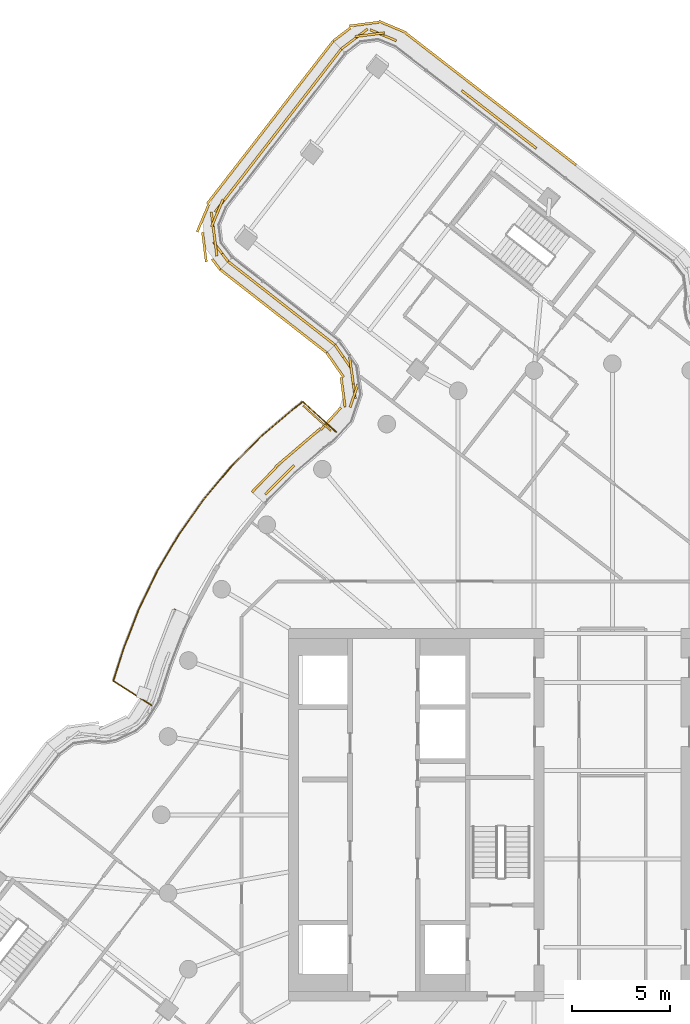
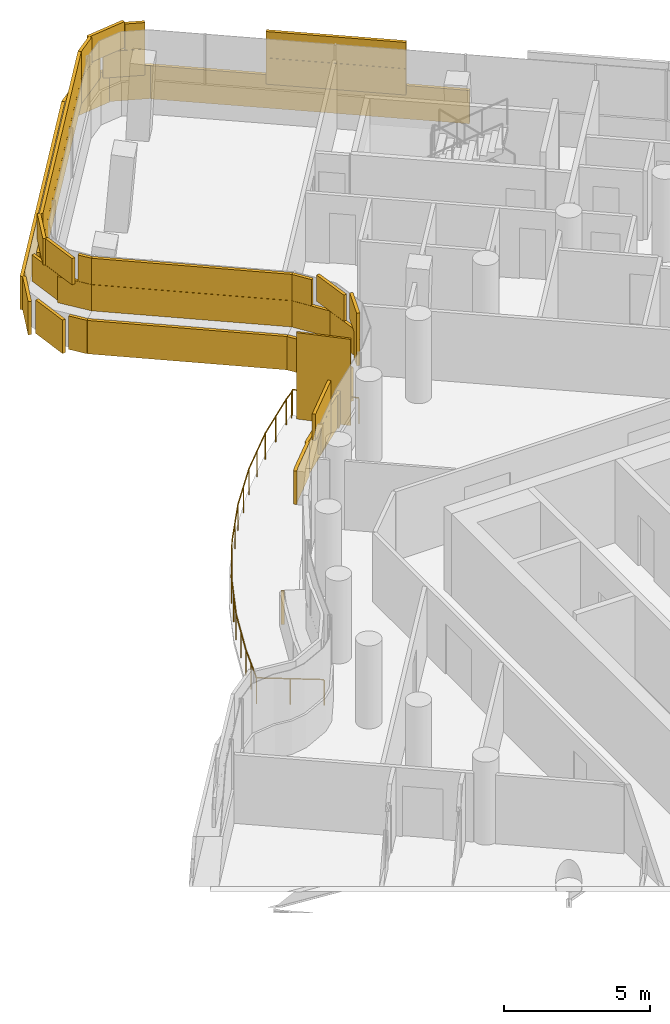
# One storey, part 24 of 26: 4 coverings, 1 railing, 1 shading device.
"""IFC4 building model written with IfcOpenShell, lengths in metres."""

from ifc_helpers import new_model, si_unit, direction, frame, origin, origin_2d, place, context, subcontext, project, spatial, rectangle, circle, extrude, material, layer, layer_set, type_object, element, save


model = new_model("IFC4")

# Units and contexts
model_context = context("Model", 3, precision=1e-05, world=origin(), true_north=direction((0.0, 1.0)))
body_context = subcontext(model_context, "Body", "Model", "MODEL_VIEW")
ifc_project = project(units=[si_unit("LENGTHUNIT", "METRE"), si_unit("AREAUNIT", "SQUARE_METRE"), si_unit("VOLUMEUNIT", "CUBIC_METRE"), si_unit("PLANEANGLEUNIT", "RADIAN"), si_unit("MASSUNIT", "GRAM", prefix="KILO")], contexts=[model_context])

# Site, building, storey
site_placement = place(None, origin())
site = spatial("IfcSite", under=ifc_project, at=site_placement, CompositionType="ELEMENT")
building_placement = place(site_placement, origin())
building = spatial("IfcBuilding", under=site, at=building_placement, Name="Tamarind Cross Interchange Tower", CompositionType="ELEMENT")
storey_placement = place(building_placement, frame((0.0, 0.0, 223.5)))
storey = spatial("IfcBuildingStorey", under=building, at=storey_placement, Name="L56", CompositionType="ELEMENT", Elevation=223.5)

# Railing
ifc_material_1 = material(Name="Stainless steel and laminated glass", Category="steel")
railing_type = type_object("IfcRailingType", Name="Balcony guard", PredefinedType="BALUSTRADE", material=ifc_material_1)
railing_placement = place(storey_placement, frame((-14.079345703125, 19.51171875, 0.0)))
element("IfcRailing", 1, at=railing_placement, inside=storey, type_object=railing_type, Name="Balcony guard 06", PredefinedType="BALUSTRADE", context=body_context, shape_type="SweptSolid", body=[
    extrude(circle(Radius=0.02490234375, at=origin_2d()), frame((0.0, 0.0, 1.0751953125), z_axis=(-0.738977417959, 0.673730195069, 0.0), x_axis=(-0.673730195069, -0.738977417959, 0.0)), (0.0, 0.0, 1.0), 2.31982421875),
    extrude(circle(Radius=0.02490234375, at=origin_2d()), frame((-1.71435546875, 1.56298828125, 1.0751953125), z_axis=(-0.674600241332, -0.738183252584, 0.0), x_axis=(0.738183252584, -0.674600241332, 0.0)), (0.0, 0.0, 1.0), 0.157470703125),
    extrude(circle(Radius=0.02490234375, at=origin_2d()), frame((-1.820556640625, 1.44677734375, 1.0751953125), z_axis=(-0.805232741795, -0.592958878457, 0.0), x_axis=(0.592958878457, -0.805232741795, 0.0)), (0.0, 0.0, 1.0), 0.450927734375),
    extrude(circle(Radius=0.02490234375, at=origin_2d()), frame((-2.18359375, 1.179443359375, 1.0751953125), z_axis=(-0.760291234093, -0.649582357643, 0.0), x_axis=(0.649582357643, -0.760291234093, 0.0)), (0.0, 0.0, 1.0), 2.163330078125),
    extrude(circle(Radius=0.02490234375, at=origin_2d()), frame((-3.828369140625, -0.225830078125, 1.0751953125), z_axis=(-0.704069857635, -0.710130717242, 0.0), x_axis=(0.710130717242, -0.704069857635, 0.0)), (0.0, 0.0, 1.0), 2.17529296875),
    extrude(circle(Radius=0.02490234375, at=origin_2d()), frame((-5.35986328125, -1.7705078125, 1.0751953125), z_axis=(-0.642984125922, -0.765879503455, 0.0), x_axis=(0.765879503455, -0.642984125922, 0.0)), (0.0, 0.0, 1.0), 2.17529296875),
    extrude(circle(Radius=0.02490234375, at=origin_2d()), frame((-6.758544921875, -3.4365234375, 1.0751953125), z_axis=(-0.577590617379, -0.81632657602, 0.0), x_axis=(0.81632657602, -0.577590617379, 0.0)), (0.0, 0.0, 1.0), 2.175048828125),
    extrude(circle(Radius=0.02490234375, at=origin_2d()), frame((-8.014892578125, -5.212158203125, 1.0751953125), z_axis=(-0.508226290333, -0.861223570169, 0.0), x_axis=(0.861223570169, -0.508226290333, 0.0)), (0.0, 0.0, 1.0), 2.175048828125),
    extrude(circle(Radius=0.02490234375, at=origin_2d()), frame((-9.120361328125, -7.08544921875, 1.0751953125), z_axis=(-0.435276325285, -0.90029690694, 0.0), x_axis=(0.90029690694, -0.435276325285, 0.0)), (0.0, 0.0, 1.0), 2.175048828125),
    extrude(circle(Radius=0.02490234375, at=origin_2d()), frame((-10.067138671875, -9.043701171875, 1.0751953125), z_axis=(-0.359459104693, -0.933160839327, 0.0), x_axis=(0.933160839327, -0.359459104693, 0.0)), (0.0, 0.0, 1.0), 2.14697265625),
    extrude(circle(Radius=0.02490234375, at=origin_2d()), frame((-10.8388671875, -11.047119140625, 1.0751953125), z_axis=(-0.304634213897, -0.952469419836, 0.0), x_axis=(0.952469419836, -0.304634213897, 0.0)), (0.0, 0.0, 1.0), 1.690185546875),
    extrude(circle(Radius=0.02490234375, at=origin_2d()), frame((-11.353759765625, -12.656982421875, 1.0751953125), z_axis=(-0.534358479235, -0.845257958063, 0.0), x_axis=(0.845257958063, -0.534358479235, 0.0)), (0.0, 0.0, 1.0), 0.025146484375),
    extrude(circle(Radius=0.02490234375, at=origin_2d()), frame((-11.3671875, -12.67822265625, 1.0751953125), z_axis=(0.842345933072, -0.538937221797, 0.0), x_axis=(0.538937221797, 0.842345933072, 0.0)), (0.0, 0.0, 1.0), 2.31982421875),
    extrude(circle(Radius=0.02001953125, at=origin_2d()), origin(), (0.0, 0.0, 1.0), 1.050048828125),
    extrude(circle(Radius=0.02001953125, at=origin_2d()), frame((-0.857177734375, 0.781494140625, 0.0)), (0.0, 0.0, 1.0), 1.050048828125),
    extrude(circle(Radius=0.02001953125, at=origin_2d()), frame((-1.71435546875, 1.56298828125, 0.0)), (0.0, 0.0, 1.0), 1.050048828125),
    extrude(circle(Radius=0.02001953125, at=origin_2d()), frame((-1.820556640625, 1.44677734375, 0.0)), (0.0, 0.0, 1.0), 1.050048828125),
    extrude(circle(Radius=0.02001953125, at=origin_2d()), frame((-2.18359375, 1.179443359375, 0.0)), (0.0, 0.0, 1.0), 1.050048828125),
    extrude(circle(Radius=0.02001953125, at=origin_2d()), frame((-3.005859375, 0.476806640625, 0.0)), (0.0, 0.0, 1.0), 1.050048828125),
    extrude(circle(Radius=0.02001953125, at=origin_2d()), frame((-3.828369140625, -0.225830078125, 0.0)), (0.0, 0.0, 1.0), 1.050048828125),
    extrude(circle(Radius=0.02001953125, at=origin_2d()), frame((-4.59423828125, -0.998046875, 0.0)), (0.0, 0.0, 1.0), 1.050048828125),
    extrude(circle(Radius=0.02001953125, at=origin_2d()), frame((-5.35986328125, -1.7705078125, 0.0)), (0.0, 0.0, 1.0), 1.050048828125),
    extrude(circle(Radius=0.02001953125, at=origin_2d()), frame((-6.05908203125, -2.603515625, 0.0)), (0.0, 0.0, 1.0), 1.050048828125),
    extrude(circle(Radius=0.02001953125, at=origin_2d()), frame((-6.758544921875, -3.4365234375, 0.0)), (0.0, 0.0, 1.0), 1.050048828125),
    extrude(circle(Radius=0.02001953125, at=origin_2d()), frame((-7.38671875, -4.32421875, 0.0)), (0.0, 0.0, 1.0), 1.050048828125),
    extrude(circle(Radius=0.02001953125, at=origin_2d()), frame((-8.014892578125, -5.212158203125, 0.0)), (0.0, 0.0, 1.0), 1.050048828125),
    extrude(circle(Radius=0.02001953125, at=origin_2d()), frame((-8.567626953125, -6.14892578125, 0.0)), (0.0, 0.0, 1.0), 1.050048828125),
    extrude(circle(Radius=0.02001953125, at=origin_2d()), frame((-9.120361328125, -7.08544921875, 0.0)), (0.0, 0.0, 1.0), 1.050048828125),
    extrude(circle(Radius=0.02001953125, at=origin_2d()), frame((-9.59375, -8.064453125, 0.0)), (0.0, 0.0, 1.0), 1.050048828125),
    extrude(circle(Radius=0.02001953125, at=origin_2d()), frame((-10.067138671875, -9.043701171875, 0.0)), (0.0, 0.0, 1.0), 1.050048828125),
    extrude(circle(Radius=0.02001953125, at=origin_2d()), frame((-10.453125, -10.04541015625, 0.0)), (0.0, 0.0, 1.0), 1.050048828125),
    extrude(circle(Radius=0.02001953125, at=origin_2d()), frame((-10.8388671875, -11.047119140625, 0.0)), (0.0, 0.0, 1.0), 1.050048828125),
    extrude(circle(Radius=0.02001953125, at=origin_2d()), frame((-11.09619140625, -11.85205078125, 0.0)), (0.0, 0.0, 1.0), 1.050048828125),
    extrude(circle(Radius=0.02001953125, at=origin_2d()), frame((-11.353759765625, -12.656982421875, 0.0)), (0.0, 0.0, 1.0), 1.050048828125),
    extrude(circle(Radius=0.02001953125, at=origin_2d()), frame((-11.3671875, -12.67822265625, 0.0)), (0.0, 0.0, 1.0), 1.050048828125),
    extrude(circle(Radius=0.02001953125, at=origin_2d()), frame((-10.39013671875, -13.30322265625, 0.0)), (0.0, 0.0, 1.0), 1.050048828125),
    extrude(circle(Radius=0.02001953125, at=origin_2d()), frame((-9.4130859375, -13.928466796875, 0.0)), (0.0, 0.0, 1.0), 1.050048828125),
])

# Shading device
ifc_material_2 = material(Name="Bronze-finish aluminium louvre", Category="aluminium")
ifc_layer_1 = layer(ifc_material_2, 0.080078125)
ifc_layer_set_1 = layer_set([ifc_layer_1], Name="Bronze-finish aluminium louvre")
shading_device_type = type_object("IfcShadingDeviceType", Name="Operable louvre bay", PredefinedType="JALOUSIE", material=ifc_layer_set_1)
shading_device_placement = place(storey_placement, origin())
element("IfcShadingDevice", 2, at=shading_device_placement, inside=storey, type_object=shading_device_type, Name="LVR-L56-BAL06", PredefinedType="JALOUSIE", context=body_context, shape_type="SweptSolid", body=[
    extrude(rectangle(XDim=1.89990234375, YDim=0.080078125, at=origin_2d()), frame((-15.060302734375, 20.216796875, 0.0), z_axis=(0.0, 0.0, 1.0), x_axis=(-0.739005481739, 0.673699412171, 0.0)), (0.0, 0.0, 1.0), 3.60009765625),
])

# Coverings
ifc_material_3 = material(Name="Terracotta", Category="masonry")
ifc_layer_2 = layer(ifc_material_3, 0.1201171875)
ifc_layer_set_2 = layer_set([ifc_layer_2], Name="Terracotta")
covering_type = type_object("IfcCoveringType", Name="Terracotta baguette screen unit", PredefinedType="MOLDING", material=ifc_layer_set_2)
covering_1_placement = place(storey_placement, origin())
element("IfcCovering", 3, at=covering_1_placement, inside=storey, type_object=covering_type, Name="SCR-L56-03-01", PredefinedType="MOLDING", context=body_context, shape_type="SweptSolid", body=[
    extrude(rectangle(XDim=1.450439453125, YDim=0.1201171875, at=origin_2d()), frame((-4.44775390625, 34.4130859375, 1.40380859375), z_axis=(0.0, 0.0, 1.0), x_axis=(-0.790582709629, 0.612355272073, 0.0)), (0.0, 0.0, 1.0), 1.092041015625),
    extrude(rectangle(XDim=1.52001953125, YDim=0.1201171875, at=origin_2d()), frame((-5.610107421875, 35.3134765625, 1.40380859375), z_axis=(0.0, 0.0, 1.0), x_axis=(-0.790582709629, 0.612355272073, 0.0)), (0.0, 0.0, 1.0), 1.092041015625),
    extrude(rectangle(XDim=1.52001953125, YDim=0.1201171875, at=origin_2d()), frame((-6.796142578125, 36.23193359375, 1.40380859375), z_axis=(0.0, 0.0, 1.0), x_axis=(-0.790582709629, 0.612355272073, 0.0)), (0.0, 0.0, 1.0), 1.092041015625),
    extrude(rectangle(XDim=0.38134765625, YDim=0.1201171875, at=origin_2d()), frame((-7.535888671875, 36.804931640625, 1.40380859375), z_axis=(0.0, 0.0, 1.0), x_axis=(-0.790582709629, 0.612355272073, 0.0)), (0.0, 0.0, 1.0), 1.092041015625),
    extrude(rectangle(XDim=1.438720703125, YDim=0.1201171875, at=origin_2d()), frame((-11.678466796875, 39.73828125, 1.40380859375), z_axis=(0.0, 0.0, 1.0), x_axis=(-0.92213346383, 0.386871910179, 0.0)), (0.0, 0.0, 1.0), 1.092041015625),
    extrude(rectangle(XDim=1.52001953125, YDim=0.1201171875, at=origin_2d()), frame((-13.08544921875, 39.59912109375, 1.40380859375), z_axis=(0.0, 0.0, 1.0), x_axis=(-0.796107634141, -0.605155050266, 0.0)), (0.0, 0.0, 1.0), 1.092041015625),
    extrude(rectangle(XDim=0.18017578125, YDim=0.1201171875, at=origin_2d()), frame((-13.750244140625, 39.09375, 1.40380859375), z_axis=(0.0, 0.0, 1.0), x_axis=(-0.796107634141, -0.605155050266, 0.0)), (0.0, 0.0, 1.0), 1.092041015625),
    extrude(rectangle(XDim=0.700439453125, YDim=0.1201171875, at=origin_2d()), frame((-4.1513671875, 34.18359375, 2.50390625), z_axis=(0.0, 0.0, 1.0), x_axis=(-0.790582709629, 0.612355272073, 0.0)), (0.0, 0.0, 1.0), 1.092041015625),
    extrude(rectangle(XDim=1.52001953125, YDim=0.1201171875, at=origin_2d()), frame((-5.017333984375, 34.854248046875, 2.50390625), z_axis=(0.0, 0.0, 1.0), x_axis=(-0.790582709629, 0.612355272073, 0.0)), (0.0, 0.0, 1.0), 1.092041015625),
    extrude(rectangle(XDim=1.52001953125, YDim=0.1201171875, at=origin_2d()), frame((-6.203125, 35.772705078125, 2.50390625), z_axis=(0.0, 0.0, 1.0), x_axis=(-0.790582709629, 0.612355272073, 0.0)), (0.0, 0.0, 1.0), 1.092041015625),
    extrude(rectangle(XDim=1.13134765625, YDim=0.1201171875, at=origin_2d()), frame((-7.2392578125, 36.575439453125, 2.50390625), z_axis=(0.0, 0.0, 1.0), x_axis=(-0.790582709629, 0.612355272073, 0.0)), (0.0, 0.0, 1.0), 1.092041015625),
    extrude(rectangle(XDim=0.688720703125, YDim=0.1201171875, at=origin_2d()), frame((-11.33251953125, 39.59326171875, 2.50390625), z_axis=(0.0, 0.0, 1.0), x_axis=(-0.92213346383, 0.386871910179, 0.0)), (0.0, 0.0, 1.0), 1.092041015625),
    extrude(rectangle(XDim=1.52001953125, YDim=0.1201171875, at=origin_2d()), frame((-12.37109375, 39.76611328125, 2.50390625), z_axis=(0.0, 0.0, 1.0), x_axis=(-0.992026960446, -0.126025829689, 0.0)), (0.0, 0.0, 1.0), 1.092041015625),
    extrude(rectangle(XDim=0.93017578125, YDim=0.1201171875, at=origin_2d()), frame((-13.45166015625, 39.32080078125, 2.50390625), z_axis=(0.0, 0.0, 1.0), x_axis=(-0.796107634141, -0.605155050266, 0.0)), (0.0, 0.0, 1.0), 1.092041015625),
    extrude(rectangle(XDim=0.492431640625, YDim=0.1201171875, at=origin_2d()), frame((-2.048583984375, 33.28076171875, 0.00390625), z_axis=(0.0, 0.0, 1.0), x_axis=(-0.790582709629, 0.612355272073, 0.0)), (0.0, 0.0, 1.0), 1.39208984375),
    extrude(rectangle(XDim=1.52001953125, YDim=0.1201171875, at=origin_2d()), frame((-2.828125, 33.884765625, 0.00390625), z_axis=(0.0, 0.0, 1.0), x_axis=(-0.790582709629, 0.612355272073, 0.0)), (0.0, 0.0, 1.0), 1.39208984375),
    extrude(rectangle(XDim=1.52001953125, YDim=0.1201171875, at=origin_2d()), frame((-4.01416015625, 34.80322265625, 0.00390625), z_axis=(0.0, 0.0, 1.0), x_axis=(-0.790582709629, 0.612355272073, 0.0)), (0.0, 0.0, 1.0), 1.39208984375),
    extrude(rectangle(XDim=1.52001953125, YDim=0.1201171875, at=origin_2d()), frame((-5.199951171875, 35.721923828125, 0.00390625), z_axis=(0.0, 0.0, 1.0), x_axis=(-0.790582709629, 0.612355272073, 0.0)), (0.0, 0.0, 1.0), 1.39208984375),
    extrude(rectangle(XDim=1.52001953125, YDim=0.1201171875, at=origin_2d()), frame((-6.385986328125, 36.640380859375, 0.00390625), z_axis=(0.0, 0.0, 1.0), x_axis=(-0.790582709629, 0.612355272073, 0.0)), (0.0, 0.0, 1.0), 1.39208984375),
    extrude(rectangle(XDim=1.52001953125, YDim=0.1201171875, at=origin_2d()), frame((-7.57177734375, 37.558837890625, 0.00390625), z_axis=(0.0, 0.0, 1.0), x_axis=(-0.790582709629, 0.612355272073, 0.0)), (0.0, 0.0, 1.0), 1.39208984375),
    extrude(rectangle(XDim=1.52001953125, YDim=0.1201171875, at=origin_2d()), frame((-8.757568359375, 38.4775390625, 0.00390625), z_axis=(0.0, 0.0, 1.0), x_axis=(-0.790582709629, 0.612355272073, 0.0)), (0.0, 0.0, 1.0), 1.39208984375),
    extrude(rectangle(XDim=1.52001953125, YDim=0.1201171875, at=origin_2d()), frame((-9.943603515625, 39.39599609375, 0.00390625), z_axis=(0.0, 0.0, 1.0), x_axis=(-0.790582709629, 0.612355272073, 0.0)), (0.0, 0.0, 1.0), 1.39208984375),
    extrude(rectangle(XDim=1.52001953125, YDim=0.1201171875, at=origin_2d()), frame((-11.215576171875, 40.16650390625, 0.00390625), z_axis=(0.0, 0.0, 1.0), x_axis=(-0.92213346383, 0.386871910179, 0.0)), (0.0, 0.0, 1.0), 1.39208984375),
    extrude(rectangle(XDim=1.52001953125, YDim=0.1201171875, at=origin_2d()), frame((-12.65869140625, 40.30810546875, 0.00390625), z_axis=(0.0, 0.0, 1.0), x_axis=(-0.992026960446, -0.126025829689, 0.0)), (0.0, 0.0, 1.0), 1.39208984375),
    extrude(rectangle(XDim=1.096435546875, YDim=0.1201171875, at=origin_2d()), frame((-13.7890625, 39.785400390625, 0.00390625), z_axis=(0.0, 0.0, 1.0), x_axis=(-0.796107634141, -0.605155050266, 0.0)), (0.0, 0.0, 1.0), 1.39208984375),
])
covering_2_placement = place(storey_placement, origin())
element("IfcCovering", 4, at=covering_2_placement, inside=storey, type_object=covering_type, Name="SCR-L56-04-00", PredefinedType="MOLDING", context=body_context, shape_type="SweptSolid", body=[
    extrude(rectangle(XDim=1.510009765625, YDim=0.1201171875, at=origin_2d()), frame((-14.27734375, 38.449462890625, 1.40380859375), z_axis=(0.0, 0.0, 1.0), x_axis=(-0.612355272073, -0.790582709629, 0.0)), (0.0, 0.0, 1.0), 1.092041015625),
    extrude(rectangle(XDim=1.52001953125, YDim=0.1201171875, at=origin_2d()), frame((-15.19580078125, 37.263427734375, 1.40380859375), z_axis=(0.0, 0.0, 1.0), x_axis=(-0.612355272073, -0.790582709629, 0.0)), (0.0, 0.0, 1.0), 1.092041015625),
    extrude(rectangle(XDim=1.52001953125, YDim=0.1201171875, at=origin_2d()), frame((-16.1142578125, 36.07763671875, 1.40380859375), z_axis=(0.0, 0.0, 1.0), x_axis=(-0.612355272073, -0.790582709629, 0.0)), (0.0, 0.0, 1.0), 1.092041015625),
    extrude(rectangle(XDim=1.52001953125, YDim=0.1201171875, at=origin_2d()), frame((-17.032958984375, 34.891845703125, 1.40380859375), z_axis=(0.0, 0.0, 1.0), x_axis=(-0.612355272073, -0.790582709629, 0.0)), (0.0, 0.0, 1.0), 1.092041015625),
    extrude(rectangle(XDim=1.52001953125, YDim=0.1201171875, at=origin_2d()), frame((-17.951416015625, 33.705810546875, 1.40380859375), z_axis=(0.0, 0.0, 1.0), x_axis=(-0.612355272073, -0.790582709629, 0.0)), (0.0, 0.0, 1.0), 1.092041015625),
    extrude(rectangle(XDim=1.52001953125, YDim=0.1201171875, at=origin_2d()), frame((-18.869873046875, 32.52001953125, 1.40380859375), z_axis=(0.0, 0.0, 1.0), x_axis=(-0.612355272073, -0.790582709629, 0.0)), (0.0, 0.0, 1.0), 1.092041015625),
    extrude(rectangle(XDim=1.52001953125, YDim=0.1201171875, at=origin_2d()), frame((-19.78857421875, 31.334228515625, 1.40380859375), z_axis=(0.0, 0.0, 1.0), x_axis=(-0.612355272073, -0.790582709629, 0.0)), (0.0, 0.0, 1.0), 1.092041015625),
    extrude(rectangle(XDim=1.52001953125, YDim=0.1201171875, at=origin_2d()), frame((-20.35107421875, 29.97607421875, 1.40380859375), z_axis=(0.0, 0.0, 1.0), x_axis=(0.126025829689, -0.992026960446, 0.0)), (0.0, 0.0, 1.0), 1.092041015625),
    extrude(rectangle(XDim=1.259521484375, YDim=0.1201171875, at=origin_2d()), frame((-19.9638671875, 28.69970703125, 1.40380859375), z_axis=(0.0, 0.0, 1.0), x_axis=(0.605155050266, -0.796107634141, 0.0)), (0.0, 0.0, 1.0), 1.092041015625),
    extrude(rectangle(XDim=0.760009765625, YDim=0.1201171875, at=origin_2d()), frame((-14.047607421875, 38.745849609375, 2.50390625), z_axis=(0.0, 0.0, 1.0), x_axis=(-0.612355272073, -0.790582709629, 0.0)), (0.0, 0.0, 1.0), 1.092041015625),
    extrude(rectangle(XDim=1.52001953125, YDim=0.1201171875, at=origin_2d()), frame((-14.736572265625, 37.8564453125, 2.50390625), z_axis=(0.0, 0.0, 1.0), x_axis=(-0.612355272073, -0.790582709629, 0.0)), (0.0, 0.0, 1.0), 1.092041015625),
    extrude(rectangle(XDim=1.52001953125, YDim=0.1201171875, at=origin_2d()), frame((-15.655029296875, 36.670654296875, 2.50390625), z_axis=(0.0, 0.0, 1.0), x_axis=(-0.612355272073, -0.790582709629, 0.0)), (0.0, 0.0, 1.0), 1.092041015625),
    extrude(rectangle(XDim=1.52001953125, YDim=0.1201171875, at=origin_2d()), frame((-16.57373046875, 35.484619140625, 2.50390625), z_axis=(0.0, 0.0, 1.0), x_axis=(-0.612355272073, -0.790582709629, 0.0)), (0.0, 0.0, 1.0), 1.092041015625),
    extrude(rectangle(XDim=1.52001953125, YDim=0.1201171875, at=origin_2d()), frame((-17.4921875, 34.298828125, 2.50390625), z_axis=(0.0, 0.0, 1.0), x_axis=(-0.612355272073, -0.790582709629, 0.0)), (0.0, 0.0, 1.0), 1.092041015625),
    extrude(rectangle(XDim=1.52001953125, YDim=0.1201171875, at=origin_2d()), frame((-18.41064453125, 33.113037109375, 2.50390625), z_axis=(0.0, 0.0, 1.0), x_axis=(-0.612355272073, -0.790582709629, 0.0)), (0.0, 0.0, 1.0), 1.092041015625),
    extrude(rectangle(XDim=1.52001953125, YDim=0.1201171875, at=origin_2d()), frame((-19.329345703125, 31.927001953125, 2.50390625), z_axis=(0.0, 0.0, 1.0), x_axis=(-0.612355272073, -0.790582709629, 0.0)), (0.0, 0.0, 1.0), 1.092041015625),
    extrude(rectangle(XDim=1.52001953125, YDim=0.1201171875, at=origin_2d()), frame((-20.140380859375, 30.678466796875, 2.50390625), z_axis=(0.0, 0.0, 1.0), x_axis=(-0.386871910179, -0.92213346383, 0.0)), (0.0, 0.0, 1.0), 1.092041015625),
    extrude(rectangle(XDim=1.52001953125, YDim=0.1201171875, at=origin_2d()), frame((-20.25634765625, 29.232177734375, 2.50390625), z_axis=(0.0, 0.0, 1.0), x_axis=(0.126025829689, -0.992026960446, 0.0)), (0.0, 0.0, 1.0), 1.092041015625),
    extrude(rectangle(XDim=0.509521484375, YDim=0.1201171875, at=origin_2d()), frame((-19.737060546875, 28.4013671875, 2.50390625), z_axis=(0.0, 0.0, 1.0), x_axis=(0.605155050266, -0.796107634141, 0.0)), (0.0, 0.0, 1.0), 1.092041015625),
    extrude(rectangle(XDim=1.510009765625, YDim=0.1201171875, at=origin_2d()), frame((-14.68798828125, 38.856689453125, 0.00390625), z_axis=(0.0, 0.0, 1.0), x_axis=(-0.612355272073, -0.790582709629, 0.0)), (0.0, 0.0, 1.0), 1.39208984375),
    extrude(rectangle(XDim=1.52001953125, YDim=0.1201171875, at=origin_2d()), frame((-15.603271484375, 37.6748046875, 0.00390625), z_axis=(0.0, 0.0, 1.0), x_axis=(-0.612355272073, -0.790582709629, 0.0)), (0.0, 0.0, 1.0), 1.39208984375),
    extrude(rectangle(XDim=1.52001953125, YDim=0.1201171875, at=origin_2d()), frame((-16.52197265625, 36.489013671875, 0.00390625), z_axis=(0.0, 0.0, 1.0), x_axis=(-0.612355272073, -0.790582709629, 0.0)), (0.0, 0.0, 1.0), 1.39208984375),
    extrude(rectangle(XDim=1.52001953125, YDim=0.1201171875, at=origin_2d()), frame((-17.4404296875, 35.302978515625, 0.00390625), z_axis=(0.0, 0.0, 1.0), x_axis=(-0.612355272073, -0.790582709629, 0.0)), (0.0, 0.0, 1.0), 1.39208984375),
    extrude(rectangle(XDim=1.52001953125, YDim=0.1201171875, at=origin_2d()), frame((-18.35888671875, 34.1171875, 0.00390625), z_axis=(0.0, 0.0, 1.0), x_axis=(-0.612355272073, -0.790582709629, 0.0)), (0.0, 0.0, 1.0), 1.39208984375),
    extrude(rectangle(XDim=1.52001953125, YDim=0.1201171875, at=origin_2d()), frame((-19.277587890625, 32.931396484375, 0.00390625), z_axis=(0.0, 0.0, 1.0), x_axis=(-0.612355272073, -0.790582709629, 0.0)), (0.0, 0.0, 1.0), 1.39208984375),
    extrude(rectangle(XDim=1.52001953125, YDim=0.1201171875, at=origin_2d()), frame((-20.196044921875, 31.745361328125, 0.00390625), z_axis=(0.0, 0.0, 1.0), x_axis=(-0.612355272073, -0.790582709629, 0.0)), (0.0, 0.0, 1.0), 1.39208984375),
    extrude(rectangle(XDim=1.52001953125, YDim=0.1201171875, at=origin_2d()), frame((-20.8720703125, 30.418212890625, 0.00390625), z_axis=(0.0, 0.0, 1.0), x_axis=(-0.386871910179, -0.92213346383, 0.0)), (0.0, 0.0, 1.0), 1.39208984375),
    extrude(rectangle(XDim=1.52001953125, YDim=0.1201171875, at=origin_2d()), frame((-20.798828125, 28.94580078125, 0.00390625), z_axis=(0.0, 0.0, 1.0), x_axis=(0.126025829689, -0.992026960446, 0.0)), (0.0, 0.0, 1.0), 1.39208984375),
    extrude(rectangle(XDim=0.67578125, YDim=0.1201171875, at=origin_2d()), frame((-20.2021484375, 28.06494140625, 0.00390625), z_axis=(0.0, 0.0, 1.0), x_axis=(0.605155050266, -0.796107634141, 0.0)), (0.0, 0.0, 1.0), 1.39208984375),
])
covering_3_placement = place(storey_placement, origin())
element("IfcCovering", 5, at=covering_3_placement, inside=storey, type_object=covering_type, Name="SCR-L56-05-00", PredefinedType="MOLDING", context=body_context, shape_type="SweptSolid", body=[
    extrude(rectangle(XDim=1.510009765625, YDim=0.1201171875, at=origin_2d()), frame((-18.99462890625, 27.740966796875, 1.40380859375), z_axis=(0.0, 0.0, 1.0), x_axis=(0.788192580464, -0.615428676698, 0.0)), (0.0, 0.0, 1.0), 1.092041015625),
    extrude(rectangle(XDim=1.52001953125, YDim=0.1201171875, at=origin_2d()), frame((-17.8125, 26.817626953125, 1.40380859375), z_axis=(0.0, 0.0, 1.0), x_axis=(0.788192580464, -0.615428676698, 0.0)), (0.0, 0.0, 1.0), 1.092041015625),
    extrude(rectangle(XDim=1.52001953125, YDim=0.1201171875, at=origin_2d()), frame((-16.630126953125, 25.89453125, 1.40380859375), z_axis=(0.0, 0.0, 1.0), x_axis=(0.788192580464, -0.615428676698, 0.0)), (0.0, 0.0, 1.0), 1.092041015625),
    extrude(rectangle(XDim=1.52001953125, YDim=0.1201171875, at=origin_2d()), frame((-15.44775390625, 24.971435546875, 1.40380859375), z_axis=(0.0, 0.0, 1.0), x_axis=(0.788192580464, -0.615428676698, 0.0)), (0.0, 0.0, 1.0), 1.092041015625),
    extrude(rectangle(XDim=0.913818359375, YDim=0.1201171875, at=origin_2d()), frame((-14.50048828125, 24.231689453125, 1.40380859375), z_axis=(0.0, 0.0, 1.0), x_axis=(0.788192580464, -0.615428676698, 0.0)), (0.0, 0.0, 1.0), 1.092041015625),
    extrude(rectangle(XDim=0.760009765625, YDim=0.1201171875, at=origin_2d()), frame((-19.290283203125, 27.9716796875, 2.50390625), z_axis=(0.0, 0.0, 1.0), x_axis=(0.788192580464, -0.615428676698, 0.0)), (0.0, 0.0, 1.0), 1.092041015625),
    extrude(rectangle(XDim=1.52001953125, YDim=0.1201171875, at=origin_2d()), frame((-18.403564453125, 27.279296875, 2.50390625), z_axis=(0.0, 0.0, 1.0), x_axis=(0.788192580464, -0.615428676698, 0.0)), (0.0, 0.0, 1.0), 1.092041015625),
    extrude(rectangle(XDim=1.52001953125, YDim=0.1201171875, at=origin_2d()), frame((-17.22119140625, 26.356201171875, 2.50390625), z_axis=(0.0, 0.0, 1.0), x_axis=(0.788192580464, -0.615428676698, 0.0)), (0.0, 0.0, 1.0), 1.092041015625),
    extrude(rectangle(XDim=1.52001953125, YDim=0.1201171875, at=origin_2d()), frame((-16.0390625, 25.43310546875, 2.50390625), z_axis=(0.0, 0.0, 1.0), x_axis=(0.788192580464, -0.615428676698, 0.0)), (0.0, 0.0, 1.0), 1.092041015625),
    extrude(rectangle(XDim=1.52001953125, YDim=0.1201171875, at=origin_2d()), frame((-14.856689453125, 24.509765625, 2.50390625), z_axis=(0.0, 0.0, 1.0), x_axis=(0.788192580464, -0.615428676698, 0.0)), (0.0, 0.0, 1.0), 1.092041015625),
    extrude(rectangle(XDim=0.163818359375, YDim=0.1201171875, at=origin_2d()), frame((-14.204833984375, 24.0009765625, 2.50390625), z_axis=(0.0, 0.0, 1.0), x_axis=(0.788192580464, -0.615428676698, 0.0)), (0.0, 0.0, 1.0), 1.092041015625),
    extrude(rectangle(XDim=1.510009765625, YDim=0.1201171875, at=origin_2d()), frame((-19.402587890625, 27.3310546875, 0.00390625), z_axis=(0.0, 0.0, 1.0), x_axis=(0.788192580464, -0.615428676698, 0.0)), (0.0, 0.0, 1.0), 1.39208984375),
    extrude(rectangle(XDim=1.52001953125, YDim=0.1201171875, at=origin_2d()), frame((-18.224365234375, 26.4111328125, 0.00390625), z_axis=(0.0, 0.0, 1.0), x_axis=(0.788192580464, -0.615428676698, 0.0)), (0.0, 0.0, 1.0), 1.39208984375),
    extrude(rectangle(XDim=1.52001953125, YDim=0.1201171875, at=origin_2d()), frame((-17.0419921875, 25.488037109375, 0.00390625), z_axis=(0.0, 0.0, 1.0), x_axis=(0.788192580464, -0.615428676698, 0.0)), (0.0, 0.0, 1.0), 1.39208984375),
    extrude(rectangle(XDim=1.52001953125, YDim=0.1201171875, at=origin_2d()), frame((-15.859619140625, 24.564697265625, 0.00390625), z_axis=(0.0, 0.0, 1.0), x_axis=(0.788192580464, -0.615428676698, 0.0)), (0.0, 0.0, 1.0), 1.39208984375),
    extrude(rectangle(XDim=0.901611328125, YDim=0.1201171875, at=origin_2d()), frame((-14.921142578125, 23.83203125, 0.00390625), z_axis=(0.0, 0.0, 1.0), x_axis=(0.788192580464, -0.615428676698, 0.0)), (0.0, 0.0, 1.0), 1.39208984375),
])
covering_4_placement = place(storey_placement, origin())
element("IfcCovering", 6, at=covering_4_placement, inside=storey, type_object=covering_type, Name="SCR-L56-06-00", PredefinedType="MOLDING", context=body_context, shape_type="SweptSolid", body=[
    extrude(rectangle(XDim=1.510009765625, YDim=0.1201171875, at=origin_2d()), frame((-13.7158203125, 23.337890625, 1.40380859375), z_axis=(0.0, 0.0, 1.0), x_axis=(0.571194752013, -0.820814568141, 0.0)), (0.0, 0.0, 1.0), 1.092041015625),
    extrude(rectangle(XDim=1.52001953125, YDim=0.1201171875, at=origin_2d()), frame((-13.20947265625, 21.969970703125, 1.40380859375), z_axis=(0.0, 0.0, 1.0), x_axis=(0.135809739985, -0.990734936562, 0.0)), (0.0, 0.0, 1.0), 1.092041015625),
    extrude(rectangle(XDim=0.492919921875, YDim=0.1201171875, at=origin_2d()), frame((-13.293212890625, 21.0087890625, 1.40380859375), z_axis=(0.0, 0.0, 1.0), x_axis=(-0.323471140918, -0.946238036116, 0.0)), (0.0, 0.0, 1.0), 1.092041015625),
    extrude(rectangle(XDim=1.326904296875, YDim=0.1201171875, at=origin_2d()), frame((-16.695556640625, 17.341064453125, 1.40380859375), z_axis=(0.0, 0.0, 1.0), x_axis=(-0.704057148523, -0.710143317658, 0.0)), (0.0, 0.0, 1.0), 1.092041015625),
    extrude(rectangle(XDim=0.760009765625, YDim=0.1201171875, at=origin_2d()), frame((-13.929931640625, 23.645751953125, 2.50390625), z_axis=(0.0, 0.0, 1.0), x_axis=(0.571194752013, -0.820814568141, 0.0)), (0.0, 0.0, 1.0), 1.092041015625),
    extrude(rectangle(XDim=1.52001953125, YDim=0.1201171875, at=origin_2d()), frame((-13.311279296875, 22.713134765625, 2.50390625), z_axis=(0.0, 0.0, 1.0), x_axis=(0.135809739985, -0.990734936562, 0.0)), (0.0, 0.0, 1.0), 1.092041015625),
    extrude(rectangle(XDim=1.242919921875, YDim=0.1201171875, at=origin_2d()), frame((-13.171875, 21.36376953125, 2.50390625), z_axis=(0.0, 0.0, 1.0), x_axis=(-0.323471140918, -0.946238036116, 0.0)), (0.0, 0.0, 1.0), 1.092041015625),
    extrude(rectangle(XDim=0.576904296875, YDim=0.1201171875, at=origin_2d()), frame((-16.431640625, 17.607421875, 2.50390625), z_axis=(0.0, 0.0, 1.0), x_axis=(-0.704057148523, -0.710143317658, 0.0)), (0.0, 0.0, 1.0), 1.092041015625),
    extrude(rectangle(XDim=1.52001953125, YDim=0.1201171875, at=origin_2d()), frame((-17.1591796875, 16.87353515625, 2.50390625), z_axis=(0.0, 0.0, 1.0), x_axis=(-0.704057148523, -0.710143317658, 0.0)), (0.0, 0.0, 1.0), 1.092041015625),
    extrude(rectangle(XDim=1.510009765625, YDim=0.1201171875, at=origin_2d()), frame((-14.134521484375, 22.934814453125, 0.00390625), z_axis=(0.0, 0.0, 1.0), x_axis=(0.571194752013, -0.820814568141, 0.0)), (0.0, 0.0, 1.0), 1.39208984375),
    extrude(rectangle(XDim=1.52001953125, YDim=0.1201171875, at=origin_2d()), frame((-13.728759765625, 21.53271484375, 0.00390625), z_axis=(0.0, 0.0, 1.0), x_axis=(0.135809739985, -0.990734936562, 0.0)), (0.0, 0.0, 1.0), 1.39208984375),
    extrude(rectangle(XDim=1.52001953125, YDim=0.1201171875, at=origin_2d()), frame((-14.3515625, 20.19873046875, 0.00390625), z_axis=(0.0, 0.0, 1.0), x_axis=(-0.673699412171, -0.739005481739, 0.0)), (0.0, 0.0, 1.0), 1.39208984375),
    extrude(rectangle(XDim=1.52001953125, YDim=0.1201171875, at=origin_2d()), frame((-15.461181640625, 19.197998046875, 0.00390625), z_axis=(0.0, 0.0, 1.0), x_axis=(-0.760295606781, -0.64957723968, 0.0)), (0.0, 0.0, 1.0), 1.39208984375),
    extrude(rectangle(XDim=1.52001953125, YDim=0.1201171875, at=origin_2d()), frame((-16.6015625, 18.2236328125, 0.00390625), z_axis=(0.0, 0.0, 1.0), x_axis=(-0.760295606781, -0.64957723968, 0.0)), (0.0, 0.0, 1.0), 1.39208984375),
    extrude(rectangle(XDim=1.52001953125, YDim=0.1201171875, at=origin_2d()), frame((-17.6708984375, 17.172607421875, 0.00390625), z_axis=(0.0, 0.0, 1.0), x_axis=(-0.704057148523, -0.710143317658, 0.0)), (0.0, 0.0, 1.0), 1.39208984375),
    extrude(rectangle(XDim=0.27099609375, YDim=0.1201171875, at=origin_2d()), frame((-18.281005859375, 16.545166015625, 0.00390625), z_axis=(0.0, 0.0, 1.0), x_axis=(-0.643009266048, -0.765858396687, 0.0)), (0.0, 0.0, 1.0), 1.39208984375),
    extrude(rectangle(XDim=0.03076171875, YDim=0.1201171875, at=origin_2d()), frame((-22.30224609375, 10.47802734375, 0.00390625), z_axis=(0.0, 0.0, 1.0), x_axis=(-0.435326231914, -0.900272776334, 0.0)), (0.0, 0.0, 1.0), 1.39208984375),
])

save(model, "model.ifc")
